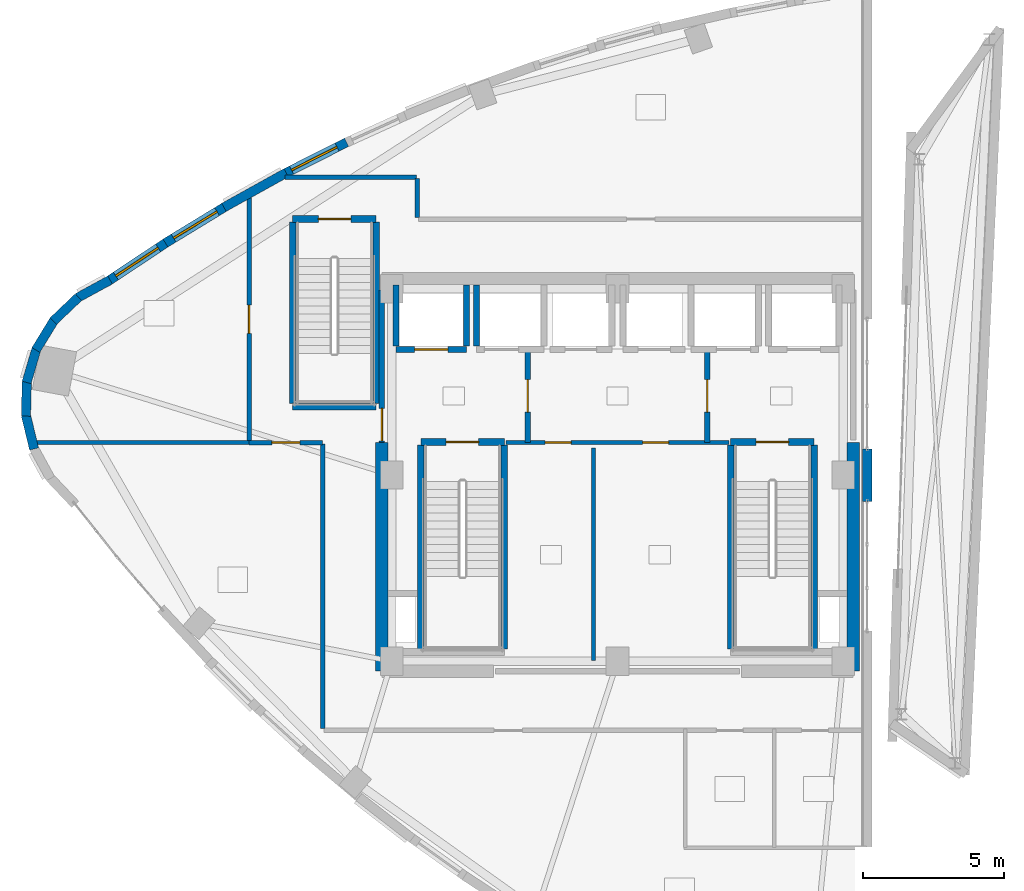
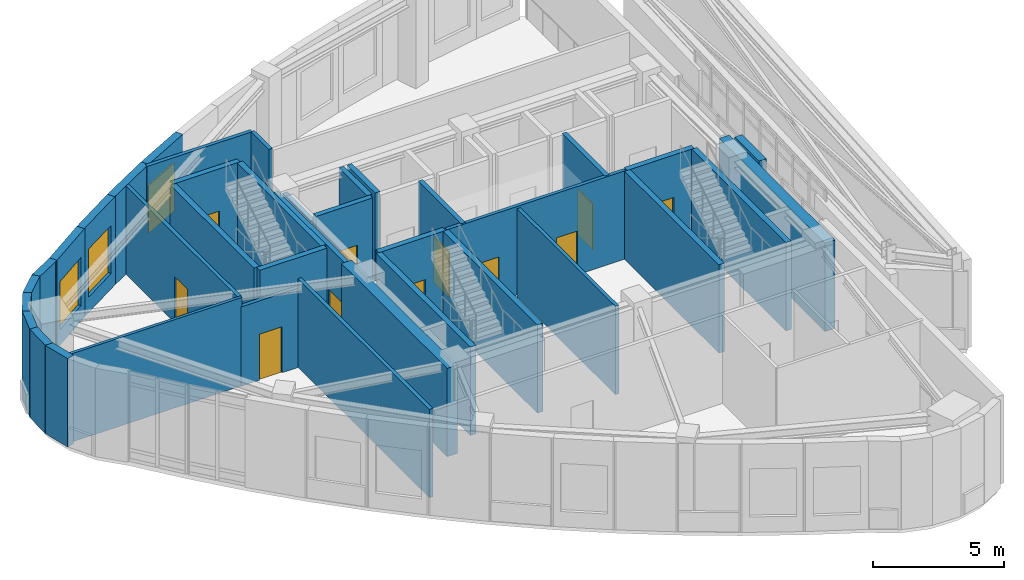
# One storey, part 14 of 19: 38 walls, 11 doors, 3 windows, 14 openings.
"""IFC4 building model written with IfcOpenShell, lengths in metres."""

from ifc_helpers import new_model, si_unit, direction, frame, frame_2d, origin, place, context, subcontext, project, spatial, rectangle, extrude, material, layer, layer_set, type_object, element, fill, save


model = new_model("IFC4")

# Units and contexts
model_context = context("Model", 3, precision=1e-05, world=origin(), true_north=direction((0.0, 1.0)))
body_context = subcontext(model_context, "Body", "Model", "MODEL_VIEW")
ifc_project = project(units=[si_unit("LENGTHUNIT", "METRE"), si_unit("AREAUNIT", "SQUARE_METRE"), si_unit("VOLUMEUNIT", "CUBIC_METRE"), si_unit("PLANEANGLEUNIT", "RADIAN"), si_unit("MASSUNIT", "GRAM", prefix="KILO")], contexts=[model_context])

# Site, building, storey
site_placement = place(None, origin())
site = spatial("IfcSite", under=ifc_project, at=site_placement, CompositionType="ELEMENT")
building_placement = place(site_placement, origin())
building = spatial("IfcBuilding", under=site, at=building_placement, Name="Ndelora Gate Hotel", CompositionType="ELEMENT")
storey_placement = place(building_placement, frame((0.0, 0.0, 294.800048828125)))
storey = spatial("IfcBuildingStorey", under=building, at=storey_placement, Name="L73", CompositionType="ELEMENT", Elevation=294.800048828125)

# Walls
ifc_material_1 = material(Name="Clay Brick Masonry", Category="masonry")
ifc_layer_1 = layer(ifc_material_1, 0.330078125)
ifc_layer_set_1 = layer_set([ifc_layer_1], Name="Clay Brick Masonry")
wall_type_1 = type_object("IfcWallType", Name="WL-BRICK-330", PredefinedType="SOLIDWALL", material=ifc_layer_set_1)
wall_1_placement = place(storey_placement, frame((8.85009765625, 0.929931640625, 0.0), z_axis=(0.0, 0.0, 1.0), x_axis=(0.0, -1.0, 0.0)))
element("IfcWall", 1, at=wall_1_placement, inside=storey, type_object=wall_type_1, Name="L73 West Crown Canyon Brick Pier 2", PredefinedType="SOLIDWALL", context=body_context, shape_type="SweptSolid", body=[
    extrude(rectangle(XDim=1.85986328125, YDim=0.330078125, at=frame_2d((0.929931640625, 0.0))), origin(), (0.0, 0.0, 1.0), 4.1298828125),
])
wall_2_placement = place(storey_placement, frame((-19.128173828125, 6.2841796875, 0.0), z_axis=(0.0, 0.0, 1.0), x_axis=(0.878173375728, 0.478342473719, 0.0)))
element("IfcWall", 2, at=wall_2_placement, inside=storey, type_object=wall_type_1, Name="L73 Tower Brick Pier-and-Spandrel Wall WPK-1", PredefinedType="SOLIDWALL", context=body_context, shape_type="SweptSolid", body=[
    extrude(rectangle(XDim=1.30908203125, YDim=0.330078125, at=frame_2d((0.654541015625, 0.0))), origin(), (0.0, 0.0, 1.0), 4.1298828125),
])
for number, where, z_axis, x_axis, name in (
    (3, (-19.989013671875, 5.454345703125, 0.0), (0.0, 0.0, 1.0), (0.72422318741, 0.689565642138, 0.0), "L73 Tower Brick Pier-and-Spandrel Wall WPK-3"),
    (4, (-20.606201171875, 4.429931640625, 0.0), (0.0, 0.0, 1.0), (0.521216361952, 0.853424574308, 0.0), "L73 Tower Brick Pier-and-Spandrel Wall WPK-5"),
    (5, (-20.93701171875, 3.28076171875, 0.0), (0.0, 0.0, 1.0), (0.282392736693, 0.95929888057, 0.0), "L73 Tower Brick Pier-and-Spandrel Wall WPK-7"),
    (6, (-20.95947265625, 2.085205078125, 0.0), (0.0, 0.0, 1.0), (0.024698579996, 0.999694943543, 0.0), "L73 Tower Brick Pier-and-Spandrel Wall WPK-9"),
    (7, (-20.67138671875, 0.92431640625, 0.0), (0.0, 0.0, 1.0), (-0.234796268819, 0.972044603991, 0.0), "L73 Tower Brick Pier-and-Spandrel Wall WPK-11"),
):
    element("IfcWall", number, at=place(storey_placement, frame(where, z_axis=z_axis, x_axis=x_axis)), inside=storey, type_object=wall_type_1, Name=name, PredefinedType="SOLIDWALL", context=body_context, shape_type="SweptSolid", body=[
        extrude(rectangle(XDim=1.225830078125, YDim=0.330078125, at=frame_2d((0.61279296875, 0.0))), origin(), (0.0, 0.0, 1.0), 4.1298828125),
    ])

# Wall, opening, window
wall_3_placement = place(storey_placement, frame((-11.836181640625, 10.6591796875, 0.0), z_axis=(0.0, 0.0, 1.0), x_axis=(0.892552621867, 0.450943252747, 0.0)))
wall_3 = element("IfcWall", 8, at=wall_3_placement, inside=storey, type_object=wall_type_1, Name="L73 Tower Brick Pier-and-Spandrel Wall WPK-60", PredefinedType="SOLIDWALL", context=body_context, shape_type="SweptSolid", body=[
    extrude(rectangle(XDim=2.510986328125, YDim=0.330078125, at=frame_2d((1.25537109375, 0.0))), origin(), (0.0, 0.0, 1.0), 4.1298828125),
])
opening_1_placement = place(wall_3_placement, frame((0.325439453125, 0.0, 0.719970703125)))
opening_1 = element("IfcOpeningElement", 9, at=opening_1_placement, cuts=wall_3, Name="Opening W06", PredefinedType="OPENING", context=body_context, shape_type="SweptSolid", body=[
    extrude(rectangle(XDim=1.800048828125, YDim=2.25, at=frame_2d((0.89990234375, 1.125))), frame((0.0, 0.175048828125, 0.0), z_axis=(0.0, -1.0, 0.0), x_axis=(1.0, 0.0, 0.0)), (0.0, 0.0, 1.0), 0.35009765625),
])
ifc_material_2 = material(Name="Insulated Low-E Double Glazing in Bronze Aluminium Frame", Category="aluminium")
window_type = type_object("IfcWindowType", Name="WN-OBS-1800", PartitioningType="SINGLE_PANEL", PredefinedType="WINDOW", material=ifc_material_2)
window_1_placement = place(opening_1_placement, origin())
window_1 = element("IfcWindow", 10, at=window_1_placement, inside=storey, type_object=window_type, Name="L73 Deep-Set Brick-Pier Window W06", OverallHeight=2.25, OverallWidth=1.800048828125, PartitioningType="SINGLE_PANEL", PredefinedType="WINDOW", context=body_context, shape_type="SweptSolid", body=[
    extrude(rectangle(XDim=1.800048828125, YDim=2.25, at=frame_2d((0.89990234375, 1.125))), frame((0.0, 0.030029296875, 0.0), z_axis=(0.0, -1.0, 0.0), x_axis=(1.0, 0.0, 0.0)), (0.0, 0.0, 1.0), 0.06005859375),
])
fill(opening_1, window_1)

# Wall
wall_4_placement = place(storey_placement, frame((-13.94384765625, 9.484619140625, 0.0), z_axis=(0.0, 0.0, 1.0), x_axis=(0.873960918974, 0.485996205856, 0.0)))
element("IfcWall", 11, at=wall_4_placement, inside=storey, type_object=wall_type_1, Name="L73 Tower Brick Pier-and-Spandrel Wall WPK-61", PredefinedType="SOLIDWALL", context=body_context, shape_type="SweptSolid", body=[
    extrude(rectangle(XDim=2.522705078125, YDim=0.330078125, at=frame_2d((1.26123046875, 0.0))), origin(), (0.0, 0.0, 1.0), 4.1298828125),
])

# Wall, opening, window
wall_5_placement = place(storey_placement, frame((-16.0166015625, 8.21923828125, 0.0), z_axis=(0.0, 0.0, 1.0), x_axis=(0.854010909552, 0.520255097395, 0.0)))
wall_5 = element("IfcWall", 12, at=wall_5_placement, inside=storey, type_object=wall_type_1, Name="L73 Tower Brick Pier-and-Spandrel Wall WPK-62", PredefinedType="SOLIDWALL", context=body_context, shape_type="SweptSolid", body=[
    extrude(rectangle(XDim=2.538330078125, YDim=0.330078125, at=frame_2d((1.26904296875, 0.0))), origin(), (0.0, 0.0, 1.0), 4.1298828125),
])
opening_2_placement = place(wall_5_placement, frame((0.339111328125, 0.0, 0.719970703125)))
opening_2 = element("IfcOpeningElement", 13, at=opening_2_placement, cuts=wall_5, Name="Opening W06", PredefinedType="OPENING", context=body_context, shape_type="SweptSolid", body=[
    extrude(rectangle(XDim=1.800048828125, YDim=2.25, at=frame_2d((0.89990234375, 1.125))), frame((0.0, 0.175048828125, 0.0), z_axis=(0.0, -1.0, 0.0), x_axis=(1.0, 0.0, 0.0)), (0.0, 0.0, 1.0), 0.35009765625),
])
window_2_placement = place(opening_2_placement, origin())
window_2 = element("IfcWindow", 14, at=window_2_placement, inside=storey, type_object=window_type, Name="L73 Deep-Set Brick-Pier Window W06", OverallHeight=2.25, OverallWidth=1.800048828125, PartitioningType="SINGLE_PANEL", PredefinedType="WINDOW", context=body_context, shape_type="SweptSolid", body=[
    extrude(rectangle(XDim=1.800048828125, YDim=2.25, at=frame_2d((0.89990234375, 1.125))), frame((0.0, 0.030029296875, 0.0), z_axis=(0.0, -1.0, 0.0), x_axis=(1.0, 0.0, 0.0)), (0.0, 0.0, 1.0), 0.06005859375),
])
fill(opening_2, window_2)

wall_6_placement = place(storey_placement, frame((-18.072509765625, 6.853759765625, 0.0), z_axis=(0.0, 0.0, 1.0), x_axis=(0.833460819708, 0.552578557322, 0.0)))
wall_6 = element("IfcWall", 15, at=wall_6_placement, inside=storey, type_object=wall_type_1, Name="L73 Tower Brick Pier-and-Spandrel Wall WPK-63", PredefinedType="SOLIDWALL", context=body_context, shape_type="SweptSolid", body=[
    extrude(rectangle(XDim=2.578125, YDim=0.330078125, at=frame_2d((1.2890625, 0.0))), origin(), (0.0, 0.0, 1.0), 4.1298828125),
])
opening_3_placement = place(wall_6_placement, frame((0.35888671875, 0.0, 0.719970703125)))
opening_3 = element("IfcOpeningElement", 16, at=opening_3_placement, cuts=wall_6, Name="Opening W06", PredefinedType="OPENING", context=body_context, shape_type="SweptSolid", body=[
    extrude(rectangle(XDim=1.800048828125, YDim=2.25, at=frame_2d((0.89990234375, 1.125))), frame((0.0, 0.175048828125, 0.0), z_axis=(0.0, -1.0, 0.0), x_axis=(1.0, 0.0, 0.0)), (0.0, 0.0, 1.0), 0.35009765625),
])
window_3_placement = place(opening_3_placement, origin())
window_3 = element("IfcWindow", 17, at=window_3_placement, inside=storey, type_object=window_type, Name="L73 Deep-Set Brick-Pier Window W06", OverallHeight=2.25, OverallWidth=1.800048828125, PartitioningType="SINGLE_PANEL", PredefinedType="WINDOW", context=body_context, shape_type="SweptSolid", body=[
    extrude(rectangle(XDim=1.800048828125, YDim=2.25, at=frame_2d((0.89990234375, 1.125))), frame((0.0, 0.030029296875, 0.0), z_axis=(0.0, -1.0, 0.0), x_axis=(1.0, 0.0, 0.0)), (0.0, 0.0, 1.0), 0.06005859375),
])
fill(opening_3, window_3)

# Walls
ifc_material_3 = material(Name="Concrete C50/60", Category="concrete")
ifc_layer_2 = layer(ifc_material_3, 0.449951171875)
ifc_layer_set_2 = layer_set([ifc_layer_2], Name="Concrete C50/60")
wall_type_2 = type_object("IfcWallType", Name="WL-CORE-450", PredefinedType="SHEAR", material=ifc_layer_set_2)
for number, where, z_axis, x_axis, name in (
    (18, (-8.35009765625, -6.949951171875, 0.0), (0.0, 0.0, 1.0), (0.0, 1.0, 0.0), "L73 Core Shear Wall W"),
    (19, (8.35009765625, -6.949951171875, 0.0), (0.0, 0.0, 1.0), (0.0, 1.0, 0.0), "L73 Core Shear Wall E"),
):
    element("IfcWall", number, at=place(storey_placement, frame(where, z_axis=z_axis, x_axis=x_axis)), inside=storey, type_object=wall_type_2, Name=name, PredefinedType="SHEAR", context=body_context, shape_type="SweptSolid", body=[
        extrude(rectangle(XDim=8.099853515625, YDim=0.449951171875, at=frame_2d((4.0498046875, 0.0))), origin(), (0.0, 0.0, 1.0), 4.1298828125),
    ])

# Wall, opening, door
ifc_material_4 = material(Name="Concrete C40/50", Category="concrete")
ifc_layer_3 = layer(ifc_material_4, 0.199951171875)
ifc_layer_set_3 = layer_set([ifc_layer_3], Name="Concrete C40/50")
wall_type_3 = type_object("IfcWallType", Name="WL-FIRE-200", PredefinedType="PARTITIONING", material=ifc_layer_set_3)
wall_7_placement = place(storey_placement, frame((-3.179931640625, 1.14990234375, 0.0), z_axis=(0.0, 0.0, 1.0), x_axis=(0.0, 1.0, 0.0)))
wall_7 = element("IfcWall", 20, at=wall_7_placement, inside=storey, type_object=wall_type_3, Name="L73 Interior Wall IW-2", PredefinedType="PARTITIONING", context=body_context, shape_type="SweptSolid", body=[
    extrude(rectangle(XDim=3.300048828125, YDim=0.199951171875, at=frame_2d((1.64990234375, 0.0))), origin(), (0.0, 0.0, 1.0), 4.1298828125),
])
opening_4_placement = place(wall_7_placement, frame((1.080078125, 0.0, 0.0)))
opening_4 = element("IfcOpeningElement", 21, at=opening_4_placement, cuts=wall_7, Name="Opening FD1", PredefinedType="OPENING", context=body_context, shape_type="SweptSolid", body=[
    extrude(rectangle(XDim=1.14990234375, YDim=2.14990234375, at=frame_2d((0.574951171875, 1.074951171875))), frame((0.0, 0.10986328125, 0.0), z_axis=(0.0, -1.0, 0.0), x_axis=(1.0, 0.0, 0.0)), (0.0, 0.0, 1.0), 0.219970703125),
])
ifc_material_5 = material(Name="Fire-Rated Timber-Veneer Steel Core", Category="steel")
door_type_1 = type_object("IfcDoorType", Name="DR-FD60", OperationType="SINGLE_SWING_LEFT", PredefinedType="DOOR", material=ifc_material_5)
door_1_placement = place(opening_4_placement, origin())
door_1 = element("IfcDoor", 22, at=door_1_placement, inside=storey, type_object=door_type_1, Name="L73 Firefighting Lobby West Door", OperationType="SINGLE_SWING_RIGHT", OverallHeight=2.14990234375, OverallWidth=1.14990234375, PredefinedType="DOOR", context=body_context, shape_type="SweptSolid", body=[
    extrude(rectangle(XDim=1.14990234375, YDim=2.14990234375, at=frame_2d((0.574951171875, 1.074951171875))), frame((0.0, 0.02490234375, 0.0), z_axis=(0.0, -1.0, 0.0), x_axis=(1.0, 0.0, 0.0)), (0.0, 0.0, 1.0), 0.050048828125),
])
fill(opening_4, door_1)

wall_8_placement = place(storey_placement, frame((3.179931640625, 1.14990234375, 0.0), z_axis=(0.0, 0.0, 1.0), x_axis=(0.0, 1.0, 0.0)))
wall_8 = element("IfcWall", 23, at=wall_8_placement, inside=storey, type_object=wall_type_3, Name="L73 Interior Wall IW-2", PredefinedType="PARTITIONING", context=body_context, shape_type="SweptSolid", body=[
    extrude(rectangle(XDim=3.300048828125, YDim=0.199951171875, at=frame_2d((1.64990234375, 0.0))), origin(), (0.0, 0.0, 1.0), 4.1298828125),
])
opening_5_placement = place(wall_8_placement, frame((1.080078125, 0.0, 0.0)))
opening_5 = element("IfcOpeningElement", 24, at=opening_5_placement, cuts=wall_8, Name="Opening FD1", PredefinedType="OPENING", context=body_context, shape_type="SweptSolid", body=[
    extrude(rectangle(XDim=1.14990234375, YDim=2.14990234375, at=frame_2d((0.574951171875, 1.074951171875))), frame((0.0, 0.10986328125, 0.0), z_axis=(0.0, -1.0, 0.0), x_axis=(1.0, 0.0, 0.0)), (0.0, 0.0, 1.0), 0.219970703125),
])
door_2_placement = place(opening_5_placement, origin())
door_2 = element("IfcDoor", 25, at=door_2_placement, inside=storey, type_object=door_type_1, Name="L73 Firefighting Lobby East Door", OperationType="SINGLE_SWING_LEFT", OverallHeight=2.14990234375, OverallWidth=1.14990234375, PredefinedType="DOOR", context=body_context, shape_type="SweptSolid", body=[
    extrude(rectangle(XDim=1.14990234375, YDim=2.14990234375, at=frame_2d((0.574951171875, 1.074951171875))), frame((0.0, 0.02490234375, 0.0), z_axis=(0.0, -1.0, 0.0), x_axis=(1.0, 0.0, 0.0)), (0.0, 0.0, 1.0), 0.050048828125),
])
fill(opening_5, door_2)

wall_9_placement = place(storey_placement, frame((-8.35009765625, 1.14990234375, 0.0), z_axis=(0.0, 0.0, 1.0), x_axis=(0.0, 1.0, 0.0)))
wall_9 = element("IfcWall", 26, at=wall_9_placement, inside=storey, type_object=wall_type_3, Name="L73 Interior Wall IW-2", PredefinedType="PARTITIONING", context=body_context, shape_type="SweptSolid", body=[
    extrude(rectangle(XDim=5.400146484375, YDim=0.199951171875, at=frame_2d((2.7001953125, 0.0))), origin(), (0.0, 0.0, 1.0), 4.1298828125),
])
opening_6_placement = place(wall_9_placement, frame((0.06005859375, 0.0, 0.0)))
opening_6 = element("IfcOpeningElement", 27, at=opening_6_placement, cuts=wall_9, Name="Opening FD1", PredefinedType="OPENING", context=body_context, shape_type="SweptSolid", body=[
    extrude(rectangle(XDim=1.14990234375, YDim=2.14990234375, at=frame_2d((0.574951171875, 1.074951171875))), frame((0.0, 0.10986328125, 0.0), z_axis=(0.0, -1.0, 0.0), x_axis=(1.0, 0.0, 0.0)), (0.0, 0.0, 1.0), 0.219970703125),
])
door_3_placement = place(opening_6_placement, origin())
door_3 = element("IfcDoor", 28, at=door_3_placement, inside=storey, type_object=door_type_1, Name="L73 Firefighting Lobby West Corridor Door", OperationType="SINGLE_SWING_LEFT", OverallHeight=2.14990234375, OverallWidth=1.14990234375, PredefinedType="DOOR", context=body_context, shape_type="SweptSolid", body=[
    extrude(rectangle(XDim=1.14990234375, YDim=2.14990234375, at=frame_2d((0.574951171875, 1.074951171875))), frame((0.0, 0.02490234375, 0.0), z_axis=(0.0, -1.0, 0.0), x_axis=(1.0, 0.0, 0.0)), (0.0, 0.0, 1.0), 0.050048828125),
])
fill(opening_6, door_3)

# Wall, openings, doors
ifc_material_6 = material(Name="Fire-Rated Gypsum Stud Partition", Category="gypsum")
ifc_layer_4 = layer(ifc_material_6, 0.14990234375)
ifc_layer_set_4 = layer_set([ifc_layer_4], Name="Fire-Rated Gypsum Stud Partition")
wall_type_4 = type_object("IfcWallType", Name="WL-PART-150", PredefinedType="PARTITIONING", material=ifc_layer_set_4)
wall_10_placement = place(storey_placement, frame((3.949951171875, 1.14990234375, 0.0), z_axis=(0.0, 0.0, 1.0), x_axis=(-1.0, 0.0, 0.0)))
wall_10 = element("IfcWall", 29, at=wall_10_placement, inside=storey, type_object=wall_type_4, Name="L73 Interior Wall IW-5", PredefinedType="PARTITIONING", context=body_context, shape_type="SweptSolid", body=[
    extrude(rectangle(XDim=7.89990234375, YDim=0.14990234375, at=frame_2d((3.949951171875, 0.0))), origin(), (0.0, 0.0, 1.0), 4.1298828125),
])
opening_7_placement = place(wall_10_placement, frame((5.590087890625, 0.0, 0.0)))
opening_7 = element("IfcOpeningElement", 30, at=opening_7_placement, cuts=wall_10, Name="Opening D04", PredefinedType="OPENING", context=body_context, shape_type="SweptSolid", body=[
    extrude(rectangle(XDim=0.919921875, YDim=2.050048828125, at=frame_2d((0.4599609375, 1.02490234375))), frame((0.0, 0.0849609375, 0.0), z_axis=(0.0, -1.0, 0.0), x_axis=(1.0, 0.0, 0.0)), (0.0, 0.0, 1.0), 0.169921875),
])
opening_8_placement = place(wall_10_placement, frame((2.139892578125, 0.0, 0.0)))
opening_8 = element("IfcOpeningElement", 31, at=opening_8_placement, cuts=wall_10, Name="Opening D04", PredefinedType="OPENING", context=body_context, shape_type="SweptSolid", body=[
    extrude(rectangle(XDim=0.919921875, YDim=2.050048828125, at=frame_2d((0.4599609375, 1.02490234375))), frame((0.0, 0.0849609375, 0.0), z_axis=(0.0, -1.0, 0.0), x_axis=(1.0, 0.0, 0.0)), (0.0, 0.0, 1.0), 0.169921875),
])
ifc_material_7 = material(Name="Painted Steel Core Service Door", Category="steel")
door_type_2 = type_object("IfcDoorType", Name="DR-SER-920", OperationType="SINGLE_SWING_LEFT", PredefinedType="DOOR", material=ifc_material_7)
door_4_placement = place(opening_7_placement, origin())
door_4 = element("IfcDoor", 32, at=door_4_placement, inside=storey, type_object=door_type_2, Name="L73 Core Electrical Switchroom Door", OperationType="SINGLE_SWING_LEFT", OverallHeight=2.050048828125, OverallWidth=0.919921875, PredefinedType="DOOR", context=body_context, shape_type="SweptSolid", body=[
    extrude(rectangle(XDim=0.919921875, YDim=2.050048828125, at=frame_2d((0.4599609375, 1.02490234375))), frame((0.0, 0.02490234375, 0.0), z_axis=(0.0, -1.0, 0.0), x_axis=(1.0, 0.0, 0.0)), (0.0, 0.0, 1.0), 0.050048828125),
])
fill(opening_7, door_4)
door_5_placement = place(opening_8_placement, origin())
door_5 = element("IfcDoor", 33, at=door_5_placement, inside=storey, type_object=door_type_2, Name="L73 Central Linen Equipment Store Door", OperationType="SINGLE_SWING_RIGHT", OverallHeight=2.050048828125, OverallWidth=0.919921875, PredefinedType="DOOR", context=body_context, shape_type="SweptSolid", body=[
    extrude(rectangle(XDim=0.919921875, YDim=2.050048828125, at=frame_2d((0.4599609375, 1.02490234375))), frame((0.0, 0.02490234375, 0.0), z_axis=(0.0, -1.0, 0.0), x_axis=(1.0, 0.0, 0.0)), (0.0, 0.0, 1.0), 0.050048828125),
])
fill(opening_8, door_5)

# Walls
wall_11_placement = place(storey_placement, frame((-0.85009765625, -6.580078125, 0.0), z_axis=(0.0, 0.0, 1.0), x_axis=(0.0, 1.0, 0.0)))
element("IfcWall", 34, at=wall_11_placement, inside=storey, type_object=wall_type_4, Name="L73 Interior Wall IW-5", PredefinedType="PARTITIONING", context=body_context, shape_type="SweptSolid", body=[
    extrude(rectangle(XDim=7.530029296875, YDim=0.14990234375, at=frame_2d((3.76513671875, 0.0))), origin(), (0.0, 0.0, 1.0), 4.1298828125),
])
ifc_layer_5 = layer(ifc_material_6, 0.159912109375)
ifc_layer_set_5 = layer_set([ifc_layer_5], Name="Fire-Rated Gypsum Stud Partition")
wall_type_5 = type_object("IfcWallType", Name="WL-PART-160", PredefinedType="PARTITIONING", material=ifc_layer_set_5)
wall_12_placement = place(storey_placement, frame((-7.10009765625, 9.1201171875, 0.0), z_axis=(0.0, 0.0, 1.0), x_axis=(0.0, 1.0, 0.0)))
element("IfcWall", 35, at=wall_12_placement, inside=storey, type_object=wall_type_5, Name="L73 Interior Wall IW-4", PredefinedType="PARTITIONING", context=body_context, shape_type="SweptSolid", body=[
    extrude(rectangle(XDim=1.3798828125, YDim=0.159912109375, at=frame_2d((0.68994140625, 0.0))), origin(), (0.0, 0.0, 1.0), 4.1298828125),
])
wall_13_placement = place(storey_placement, frame((-7.1201171875, 10.550048828125, 0.0), z_axis=(0.0, 0.0, 1.0), x_axis=(-1.0, 0.0, 0.0)))
element("IfcWall", 36, at=wall_13_placement, inside=storey, type_object=wall_type_5, Name="L73 Interior Wall IW-4", PredefinedType="PARTITIONING", context=body_context, shape_type="SweptSolid", body=[
    extrude(rectangle(XDim=4.661376953125, YDim=0.159912109375, at=frame_2d((2.33056640625, 0.0))), origin(), (0.0, 0.0, 1.0), 4.1298828125),
])

# Wall, opening, door
wall_14_placement = place(storey_placement, frame((-13.050048828125, 9.844482421875, 0.0), z_axis=(0.0, 0.0, 1.0), x_axis=(0.0, -1.0, 0.0)))
wall_14 = element("IfcWall", 37, at=wall_14_placement, inside=storey, type_object=wall_type_5, Name="L73 Interior Wall IW-4", PredefinedType="PARTITIONING", context=body_context, shape_type="SweptSolid", body=[
    extrude(rectangle(XDim=8.64453125, YDim=0.159912109375, at=frame_2d((4.322265625, 0.0))), origin(), (0.0, 0.0, 1.0), 4.1298828125),
])
opening_9_placement = place(wall_14_placement, frame((3.822265625, 0.0, 0.0)))
opening_9 = element("IfcOpeningElement", 38, at=opening_9_placement, cuts=wall_14, Name="Opening D01", PredefinedType="OPENING", context=body_context, shape_type="SweptSolid", body=[
    extrude(rectangle(XDim=1.0, YDim=2.14990234375, at=frame_2d((0.5, 1.074951171875))), frame((0.0, 0.08984375, 0.0), z_axis=(0.0, -1.0, 0.0), x_axis=(1.0, 0.0, 0.0)), (0.0, 0.0, 1.0), 0.179931640625),
])
ifc_material_8 = material(Name="Acoustic Hardwood Guest Entrance Door", Category="wood")
door_type_3 = type_object("IfcDoorType", Name="DR-COR-1000", OperationType="SINGLE_SWING_LEFT", PredefinedType="DOOR", material=ifc_material_8)
door_6_placement = place(opening_9_placement, origin())
door_6 = element("IfcDoor", 39, at=door_6_placement, inside=storey, type_object=door_type_3, Name="L73 Sommelier Wine Tasting Room Door", OperationType="SINGLE_SWING_RIGHT", OverallHeight=2.14990234375, OverallWidth=1.0, PredefinedType="DOOR", context=body_context, shape_type="SweptSolid", body=[
    extrude(rectangle(XDim=1.0, YDim=2.14990234375, at=frame_2d((0.5, 1.074951171875))), frame((0.0, 0.02490234375, 0.0), z_axis=(0.0, -1.0, 0.0), x_axis=(1.0, 0.0, 0.0)), (0.0, 0.0, 1.0), 0.050048828125),
])
fill(opening_9, door_6)

wall_15_placement = place(storey_placement, frame((-13.050048828125, 1.14990234375, 0.0), z_axis=(0.0, 0.0, 1.0), x_axis=(1.0, 0.0, 0.0)))
wall_15 = element("IfcWall", 40, at=wall_15_placement, inside=storey, type_object=wall_type_5, Name="L73 Interior Wall IW-4", PredefinedType="PARTITIONING", context=body_context, shape_type="SweptSolid", body=[
    extrude(rectangle(XDim=2.60009765625, YDim=0.159912109375, at=frame_2d((1.300048828125, 0.0))), origin(), (0.0, 0.0, 1.0), 3.7099609375),
])
opening_10_placement = place(wall_15_placement, frame((0.800048828125, 0.0, 0.0)))
opening_10 = element("IfcOpeningElement", 41, at=opening_10_placement, cuts=wall_15, Name="Opening D01", PredefinedType="OPENING", context=body_context, shape_type="SweptSolid", body=[
    extrude(rectangle(XDim=1.0, YDim=2.14990234375, at=frame_2d((0.5, 1.074951171875))), frame((0.0, 0.08984375, 0.0), z_axis=(0.0, -1.0, 0.0), x_axis=(1.0, 0.0, 0.0)), (0.0, 0.0, 1.0), 0.179931640625),
])
door_7_placement = place(opening_10_placement, origin())
door_7 = element("IfcDoor", 42, at=door_7_placement, inside=storey, type_object=door_type_3, Name="L73 Private Summit Dining Room Door", OperationType="SINGLE_SWING_RIGHT", OverallHeight=2.14990234375, OverallWidth=1.0, PredefinedType="DOOR", context=body_context, shape_type="SweptSolid", body=[
    extrude(rectangle(XDim=1.0, YDim=2.14990234375, at=frame_2d((0.5, 1.074951171875))), frame((0.0, 0.02490234375, 0.0), z_axis=(0.0, -1.0, 0.0), x_axis=(1.0, 0.0, 0.0)), (0.0, 0.0, 1.0), 0.050048828125),
])
fill(opening_10, door_7)

# Wall
wall_16_placement = place(storey_placement, frame((-10.449951171875, 1.10009765625, 0.0), z_axis=(0.0, 0.0, 1.0), x_axis=(0.0, -1.0, 0.0)))
element("IfcWall", 43, at=wall_16_placement, inside=storey, type_object=wall_type_5, Name="L73 Interior Wall IW-4", PredefinedType="PARTITIONING", context=body_context, shape_type="SweptSolid", body=[
    extrude(rectangle(XDim=10.080078125, YDim=0.159912109375, at=frame_2d((5.0400390625, 0.0))), origin(), (0.0, 0.0, 1.0), 4.1298828125),
])

# Wall, opening, door
ifc_layer_6 = layer(ifc_material_4, 0.219970703125)
ifc_layer_set_6 = layer_set([ifc_layer_6], Name="Concrete C40/50")
wall_type_6 = type_object("IfcWallType", Name="WL-SHAFT-220", PredefinedType="PARTITIONING", material=ifc_layer_set_6)
wall_17_placement = place(storey_placement, frame((-7.85009765625, 4.449951171875, 0.0), z_axis=(0.0, 0.0, 1.0), x_axis=(1.0, 0.0, 0.0)))
wall_17 = element("IfcWall", 44, at=wall_17_placement, inside=storey, type_object=wall_type_6, Name="L73 Interior Wall IW-1", PredefinedType="PARTITIONING", context=body_context, shape_type="SweptSolid", body=[
    extrude(rectangle(XDim=2.5, YDim=0.219970703125, at=frame_2d((1.25, 0.0))), origin(), (0.0, 0.0, 1.0), 4.1298828125),
])
opening_11_placement = place(wall_17_placement, frame((0.659912109375, 0.0, 0.0)))
opening_11 = element("IfcOpeningElement", 45, at=opening_11_placement, cuts=wall_17, Name="Opening LD5", PredefinedType="OPENING", context=body_context, shape_type="SweptSolid", body=[
    extrude(rectangle(XDim=1.179931640625, YDim=2.14990234375, at=frame_2d((0.58984375, 1.074951171875))), frame((0.0, 0.1201171875, 0.0), z_axis=(0.0, -1.0, 0.0), x_axis=(1.0, 0.0, 0.0)), (0.0, 0.0, 1.0), 0.239990234375),
])
ifc_material_9 = material(Name="Firefighting Lift Stainless Sliding Landing Door", Category="metal")
door_type_4 = type_object("IfcDoorType", Name="DR-LD5", OperationType="DOUBLE_DOOR_SLIDING", PredefinedType="DOOR", material=ifc_material_9)
door_8_placement = place(opening_11_placement, origin())
door_8 = element("IfcDoor", 46, at=door_8_placement, inside=storey, type_object=door_type_4, Name="L73 Lift Landing Sliding Door FFL1", OperationType="DOUBLE_DOOR_SLIDING", OverallHeight=2.14990234375, OverallWidth=1.179931640625, PredefinedType="DOOR", context=body_context, shape_type="SweptSolid", body=[
    extrude(rectangle(XDim=1.179931640625, YDim=2.14990234375, at=frame_2d((0.58984375, 1.074951171875))), frame((0.0, 0.02490234375, 0.0), z_axis=(0.0, -1.0, 0.0), x_axis=(1.0, 0.0, 0.0)), (0.0, 0.0, 1.0), 0.050048828125),
])
fill(opening_11, door_8)

# Walls
wall_18_placement = place(storey_placement, frame((-7.85009765625, 4.570068359375, 0.0), z_axis=(0.0, 0.0, 1.0), x_axis=(0.0, 1.0, 0.0)))
element("IfcWall", 47, at=wall_18_placement, inside=storey, type_object=wall_type_6, Name="L73 Interior Wall IW-1", PredefinedType="PARTITIONING", context=body_context, shape_type="SweptSolid", body=[
    extrude(rectangle(XDim=2.155029296875, YDim=0.219970703125, at=frame_2d((1.07763671875, 0.0))), origin(), (0.0, 0.0, 1.0), 3.81005859375),
])
for number, where, z_axis, x_axis, name in (
    (48, (-5.35009765625, 4.570068359375, 0.0), (0.0, 0.0, 1.0), (0.0, 1.0, 0.0), "L73 Interior Wall IW-1"),
    (49, (-5.0, 4.570068359375, 0.0), (0.0, 0.0, 1.0), (0.0, 1.0, 0.0), "L73 Interior Wall IW-1"),
):
    element("IfcWall", number, at=place(storey_placement, frame(where, z_axis=z_axis, x_axis=x_axis)), inside=storey, type_object=wall_type_6, Name=name, PredefinedType="PARTITIONING", context=body_context, shape_type="SweptSolid", body=[
        extrude(rectangle(XDim=2.155029296875, YDim=0.219970703125, at=frame_2d((1.07763671875, 0.0))), origin(), (0.0, 0.0, 1.0), 4.1298828125),
    ])
ifc_layer_7 = layer(ifc_material_3, 0.239990234375)
ifc_layer_set_7 = layer_set([ifc_layer_7], Name="Concrete C50/60")
wall_type_7 = type_object("IfcWallType", Name="WL-STAIR-240", PredefinedType="SHEAR", material=ifc_layer_set_7)
for number, where, z_axis, x_axis, name in (
    (50, (-6.969970703125, -6.159912109375, 0.0), (0.0, 0.0, 1.0), (0.0, 1.0, 0.0), "L73 Stair Core Shear Wall SW-ST"),
    (51, (-4.010009765625, -6.159912109375, 0.0), (0.0, 0.0, 1.0), (0.0, 1.0, 0.0), "L73 Stair Core Shear Wall SW-ST"),
):
    element("IfcWall", number, at=place(storey_placement, frame(where, z_axis=z_axis, x_axis=x_axis)), inside=storey, type_object=wall_type_7, Name=name, PredefinedType="SHEAR", context=body_context, shape_type="SweptSolid", body=[
        extrude(rectangle(XDim=7.219970703125, YDim=0.239990234375, at=frame_2d((3.60986328125, 0.0))), origin(), (0.0, 0.0, 1.0), 4.1298828125),
    ])

# Wall, opening, door
wall_19_placement = place(storey_placement, frame((-6.969970703125, 1.169921875, 0.0), z_axis=(0.0, 0.0, 1.0), x_axis=(1.0, 0.0, 0.0)))
wall_19 = element("IfcWall", 52, at=wall_19_placement, inside=storey, type_object=wall_type_7, Name="L73 Stair Core Shear Wall SW-ST", PredefinedType="SHEAR", context=body_context, shape_type="SweptSolid", body=[
    extrude(rectangle(XDim=2.9599609375, YDim=0.239990234375, at=frame_2d((1.47998046875, 0.0))), origin(), (0.0, 0.0, 1.0), 4.1298828125),
])
opening_12_placement = place(wall_19_placement, frame((0.89990234375, 0.0, 0.0)))
opening_12 = element("IfcOpeningElement", 53, at=opening_12_placement, cuts=wall_19, Name="Opening FD1", PredefinedType="OPENING", context=body_context, shape_type="SweptSolid", body=[
    extrude(rectangle(XDim=1.14990234375, YDim=2.14990234375, at=frame_2d((0.574951171875, 1.074951171875))), frame((0.0, 0.1298828125, 0.0), z_axis=(0.0, -1.0, 0.0), x_axis=(1.0, 0.0, 0.0)), (0.0, 0.0, 1.0), 0.260009765625),
])
door_9_placement = place(opening_12_placement, origin())
door_9 = element("IfcDoor", 54, at=door_9_placement, inside=storey, type_object=door_type_1, Name="L73 Exit Stair ST4 Door", OperationType="SINGLE_SWING_LEFT", OverallHeight=2.14990234375, OverallWidth=1.14990234375, PredefinedType="DOOR", context=body_context, shape_type="SweptSolid", body=[
    extrude(rectangle(XDim=1.14990234375, YDim=2.14990234375, at=frame_2d((0.574951171875, 1.074951171875))), frame((0.0, 0.02490234375, 0.0), z_axis=(0.0, -1.0, 0.0), x_axis=(1.0, 0.0, 0.0)), (0.0, 0.0, 1.0), 0.050048828125),
])
fill(opening_12, door_9)

# Walls
for number, where, z_axis, x_axis, name in (
    (55, (4.010009765625, -6.159912109375, 0.0), (0.0, 0.0, 1.0), (0.0, 1.0, 0.0), "L73 Stair Core Shear Wall SW-ST"),
    (56, (6.969970703125, -6.159912109375, 0.0), (0.0, 0.0, 1.0), (0.0, 1.0, 0.0), "L73 Stair Core Shear Wall SW-ST"),
):
    element("IfcWall", number, at=place(storey_placement, frame(where, z_axis=z_axis, x_axis=x_axis)), inside=storey, type_object=wall_type_7, Name=name, PredefinedType="SHEAR", context=body_context, shape_type="SweptSolid", body=[
        extrude(rectangle(XDim=7.219970703125, YDim=0.239990234375, at=frame_2d((3.60986328125, 0.0))), origin(), (0.0, 0.0, 1.0), 4.1298828125),
    ])

# Wall, opening, door
wall_20_placement = place(storey_placement, frame((4.010009765625, 1.169921875, 0.0), z_axis=(0.0, 0.0, 1.0), x_axis=(1.0, 0.0, 0.0)))
wall_20 = element("IfcWall", 57, at=wall_20_placement, inside=storey, type_object=wall_type_7, Name="L73 Stair Core Shear Wall SW-ST", PredefinedType="SHEAR", context=body_context, shape_type="SweptSolid", body=[
    extrude(rectangle(XDim=2.9599609375, YDim=0.239990234375, at=frame_2d((1.47998046875, 0.0))), origin(), (0.0, 0.0, 1.0), 4.1298828125),
])
opening_13_placement = place(wall_20_placement, frame((0.89990234375, 0.0, 0.0)))
opening_13 = element("IfcOpeningElement", 58, at=opening_13_placement, cuts=wall_20, Name="Opening FD1", PredefinedType="OPENING", context=body_context, shape_type="SweptSolid", body=[
    extrude(rectangle(XDim=1.14990234375, YDim=2.14990234375, at=frame_2d((0.574951171875, 1.074951171875))), frame((0.0, 0.1298828125, 0.0), z_axis=(0.0, -1.0, 0.0), x_axis=(1.0, 0.0, 0.0)), (0.0, 0.0, 1.0), 0.260009765625),
])
door_10_placement = place(opening_13_placement, origin())
door_10 = element("IfcDoor", 59, at=door_10_placement, inside=storey, type_object=door_type_1, Name="L73 Exit Stair ST5 Door", OperationType="SINGLE_SWING_RIGHT", OverallHeight=2.14990234375, OverallWidth=1.14990234375, PredefinedType="DOOR", context=body_context, shape_type="SweptSolid", body=[
    extrude(rectangle(XDim=1.14990234375, YDim=2.14990234375, at=frame_2d((0.574951171875, 1.074951171875))), frame((0.0, 0.02490234375, 0.0), z_axis=(0.0, -1.0, 0.0), x_axis=(1.0, 0.0, 0.0)), (0.0, 0.0, 1.0), 0.050048828125),
])
fill(opening_13, door_10)

# Walls
wall_21_placement = place(storey_placement, frame((-11.510009765625, 2.5400390625, 0.0), z_axis=(0.0, 0.0, 1.0), x_axis=(0.0, 1.0, 0.0)))
element("IfcWall", 60, at=wall_21_placement, inside=storey, type_object=wall_type_7, Name="L73 Stair Core Shear Wall SW-ST", PredefinedType="SHEAR", context=body_context, shape_type="SweptSolid", body=[
    extrude(rectangle(XDim=6.419921875, YDim=0.239990234375, at=frame_2d((3.2099609375, 0.0))), origin(), (0.0, 0.0, 1.0), 4.1298828125),
])
wall_22_placement = place(storey_placement, frame((-11.510009765625, 2.429931640625, 0.0), z_axis=(0.0, 0.0, 1.0), x_axis=(1.0, 0.0, 0.0)))
element("IfcWall", 61, at=wall_22_placement, inside=storey, type_object=wall_type_7, Name="L73 Stair Core Shear Wall SW-ST", PredefinedType="SHEAR", context=body_context, shape_type="SweptSolid", body=[
    extrude(rectangle(XDim=2.9599609375, YDim=0.239990234375, at=frame_2d((1.47998046875, 0.0))), origin(), (0.0, 0.0, 1.0), 4.1298828125),
])
wall_23_placement = place(storey_placement, frame((-8.550048828125, 2.5400390625, 0.0), z_axis=(0.0, 0.0, 1.0), x_axis=(0.0, 1.0, 0.0)))
element("IfcWall", 62, at=wall_23_placement, inside=storey, type_object=wall_type_7, Name="L73 Stair Core Shear Wall SW-ST", PredefinedType="SHEAR", context=body_context, shape_type="SweptSolid", body=[
    extrude(rectangle(XDim=6.419921875, YDim=0.239990234375, at=frame_2d((3.2099609375, 0.0))), origin(), (0.0, 0.0, 1.0), 4.1298828125),
])

# Wall, opening, door
wall_24_placement = place(storey_placement, frame((-8.550048828125, 9.070068359375, 0.0), z_axis=(0.0, 0.0, 1.0), x_axis=(-1.0, 0.0, 0.0)))
wall_24 = element("IfcWall", 63, at=wall_24_placement, inside=storey, type_object=wall_type_7, Name="L73 Stair Core Shear Wall SW-ST", PredefinedType="SHEAR", context=body_context, shape_type="SweptSolid", body=[
    extrude(rectangle(XDim=2.9599609375, YDim=0.239990234375, at=frame_2d((1.47998046875, 0.0))), origin(), (0.0, 0.0, 1.0), 4.1298828125),
])
opening_14_placement = place(wall_24_placement, frame((0.89990234375, 0.0, 0.0)))
opening_14 = element("IfcOpeningElement", 64, at=opening_14_placement, cuts=wall_24, Name="Opening FD1", PredefinedType="OPENING", context=body_context, shape_type="SweptSolid", body=[
    extrude(rectangle(XDim=1.14990234375, YDim=2.14990234375, at=frame_2d((0.574951171875, 1.074951171875))), frame((0.0, 0.1298828125, 0.0), z_axis=(0.0, -1.0, 0.0), x_axis=(1.0, 0.0, 0.0)), (0.0, 0.0, 1.0), 0.260009765625),
])
door_11_placement = place(opening_14_placement, origin())
door_11 = element("IfcDoor", 65, at=door_11_placement, inside=storey, type_object=door_type_1, Name="L73 Crown Stair ST6 Door", OperationType="SINGLE_SWING_LEFT", OverallHeight=2.14990234375, OverallWidth=1.14990234375, PredefinedType="DOOR", context=body_context, shape_type="SweptSolid", body=[
    extrude(rectangle(XDim=1.14990234375, YDim=2.14990234375, at=frame_2d((0.574951171875, 1.074951171875))), frame((0.0, 0.02490234375, 0.0), z_axis=(0.0, -1.0, 0.0), x_axis=(1.0, 0.0, 0.0)), (0.0, 0.0, 1.0), 0.050048828125),
])
fill(opening_14, door_11)

# Wall
ifc_material_10 = material(Name="Moisture-Resistant Fire-Rated Tile Partition", Category="gypsum")
ifc_layer_8 = layer(ifc_material_10, 0.1298828125)
ifc_layer_set_8 = layer_set([ifc_layer_8], Name="Moisture-Resistant Fire-Rated Tile Partition")
wall_type_8 = type_object("IfcWallType", Name="WL-WET-RATED", PredefinedType="PARTITIONING", material=ifc_layer_set_8)
wall_25_placement = place(storey_placement, frame((-20.69482421875, 1.14990234375, 0.0), z_axis=(0.0, 0.0, 1.0), x_axis=(1.0, 0.0, 0.0)))
element("IfcWall", 66, at=wall_25_placement, inside=storey, type_object=wall_type_8, Name="L73 Interior Wall IW-6", PredefinedType="PARTITIONING", context=body_context, shape_type="SweptSolid", body=[
    extrude(rectangle(XDim=7.69482421875, YDim=0.1298828125, at=frame_2d((3.847412109375, 0.0))), origin(), (0.0, 0.0, 1.0), 4.1298828125),
])

save(model, "model.ifc")
